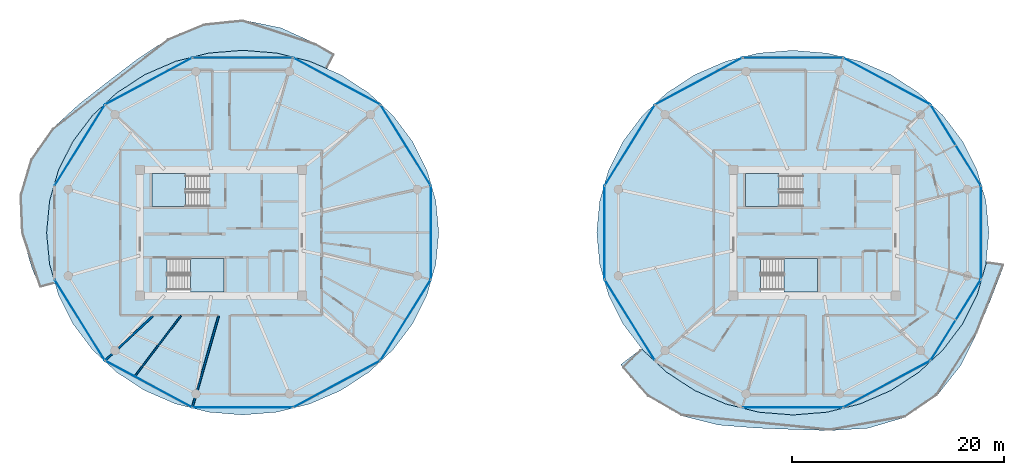
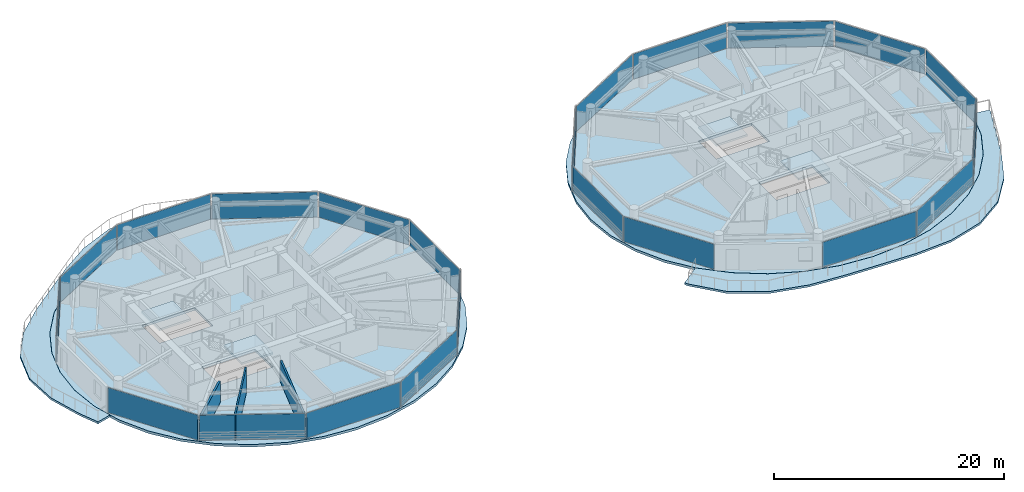
# One storey, part 12 of 24: 22 plates, 8 slabs, 3 walls, 26 elements without a shape of their own.
"""IFC4 building model written with IfcOpenShell, lengths in metres."""

from ifc_helpers import new_model, si_unit, direction, frame, frame_2d, origin, origin_2d, place, context, subcontext, project, spatial, polyline, rectangle, outline, extrude, source, transform, mapped, material, layer, layer_set, type_object, type_shapes, element, aggregate, save


model = new_model("IFC4")

# Units and contexts
model_context = context("Model", 3, precision=1e-05, world=origin(), true_north=direction((0.0, 1.0)))
body_context = subcontext(model_context, "Body", "Model", "MODEL_VIEW")
ifc_project = project(units=[si_unit("LENGTHUNIT", "METRE"), si_unit("AREAUNIT", "SQUARE_METRE"), si_unit("VOLUMEUNIT", "CUBIC_METRE"), si_unit("PLANEANGLEUNIT", "RADIAN"), si_unit("MASSUNIT", "GRAM", prefix="KILO")], contexts=[model_context])

# Site, building, storey
site_placement = place(None, origin())
site = spatial("IfcSite", under=ifc_project, at=site_placement, CompositionType="ELEMENT")
building_placement = place(site_placement, origin())
building = spatial("IfcBuilding", under=site, at=building_placement, Name="Norrkilde Senior Care Towers", CompositionType="ELEMENT")
storey_placement = place(building_placement, frame((0.0, 0.0, 90.14990234375)))
storey = spatial("IfcBuildingStorey", under=building, at=storey_placement, Name="L27", CompositionType="ELEMENT", Elevation=90.14990234375)

# Slabs
ifc_material_1 = material(Name="Concrete C50/60", Category="concrete")
ifc_layer_1 = layer(ifc_material_1, 0.215087890625)
ifc_layer_set_1 = layer_set([ifc_layer_1], Name="Concrete C50/60")
slab_type_1 = type_object("IfcSlabType", Name="Sinusoidal Balcony Ribbon Slab 215", PredefinedType="FLOOR", material=ifc_layer_set_1)
slab_1_placement = place(storey_placement, frame((0.0, 0.0, -0.21484375)))
element("IfcSlab", 1, at=slab_1_placement, inside=storey, type_object=slab_type_1, Name="L27 Drum W Swirling Senior Balcony 1", PredefinedType="FLOOR", context=body_context, shape_type="SweptSolid", body=[
    extrude(outline(polyline([(-46.814453125, 0.0), (-46.962646484375, 3.5166015625), (-45.9501953125, 6.90673828125), (-43.91357421875, 9.80615234375), (-41.34521484375, 12.159912109375), (-38.67236328125, 14.24072265625), (-35.959716796875, 16.31103515625), (-32.9931640625, 18.27783203125), (-29.612548828125, 19.684326171875), (-25.949951171875, 20.06201171875), (-22.3466796875, 19.322265625), (-19.05810546875, 17.8310546875), (-17.29052734375, 16.8125), (-17.987548828125, 15.459228515625), (-19.620849609375, 16.16748046875), (-22.736572265625, 16.943603515625), (-25.949951171875, 17.205078125), (-29.163330078125, 16.943603515625), (-32.279052734375, 16.16748046875), (-35.202392578125, 14.89990234375), (-37.8447265625, 13.1796875), (-40.125732421875, 11.05908203125), (-41.975830078125, 8.6025390625), (-43.339111328125, 5.884521484375), (-44.173828125, 2.987548828125), (-44.455078125, 0.0), (-44.173828125, -2.987548828125), (-43.64990234375, -4.80615234375), (-45.08154296875, -5.19482421875), (-45.853271484375, -3.30615234375), (-46.814453125, 0.0)])), origin(), (0.0, 0.0, 1.0), 0.21484375),
])
slab_2_placement = place(storey_placement, frame((0.0, 0.0, -0.21484375)))
element("IfcSlab", 2, at=slab_2_placement, inside=storey, type_object=slab_type_1, Name="L27 Drum E Swirling Senior Balcony 1", PredefinedType="FLOOR", context=body_context, shape_type="SweptSolid", body=[
    extrude(outline(polyline([(43.336181640625, -9.447509765625), (41.779296875, -12.552001953125), (39.552978515625, -15.36962890625), (36.5537109375, -17.41748046875), (33.051513671875, -18.45068359375), (29.447509765625, -18.6767578125), (25.949951171875, -18.56689453125), (22.492431640625, -18.43310546875), (18.9501953125, -18.14990234375), (15.422607421875, -17.275390625), (12.279296875, -15.45654296875), (9.895751953125, -12.7548828125), (9.736083984375, -12.43310546875), (11.68408203125, -10.939208984375), (11.7744140625, -11.05908203125), (14.05517578125, -13.1796875), (16.697509765625, -14.89990234375), (19.620849609375, -16.16748046875), (22.736572265625, -16.943603515625), (25.949951171875, -17.205078125), (29.163330078125, -16.943603515625), (32.279052734375, -16.16748046875), (35.202392578125, -14.89990234375), (37.8447265625, -13.1796875), (40.125732421875, -11.05908203125), (41.975830078125, -8.6025390625), (43.339111328125, -5.884521484375), (44.173828125, -2.987548828125), (44.197509765625, -2.73681640625), (45.875732421875, -2.988525390625), (45.787841796875, -3.293701171875), (44.591796875, -6.375), (43.336181640625, -9.447509765625)])), origin(), (0.0, 0.0, 1.0), 0.21484375),
])

# Stair, slab
ifc_material_2 = material(Name="Concrete C45/55", Category="concrete")
stair_type = type_object("IfcStairType", Name="Core Protected Dogleg Stair Typical 3050", PredefinedType="HALF_TURN_STAIR", material=ifc_material_2)
stair_1_placement = place(storey_placement, origin())
stair_1 = element("IfcStair", 3, at=stair_1_placement, inside=storey, type_object=stair_type, Name="L27 Protected Core Stair W1", PredefinedType="HALF_TURN_STAIR")
ifc_layer_2 = layer(ifc_material_2, 0.199951171875)
ifc_layer_set_2 = layer_set([ifc_layer_2], Name="Concrete C45/55")
slab_type_2 = type_object("IfcSlabType", Name="Stair Landing Slab 200", PredefinedType="LANDING", material=ifc_layer_set_2)
slab_3_placement = place(storey_placement, frame((0.0, 0.0, 1.3251953125)))
slab_3 = element("IfcSlab", 4, at=slab_3_placement, type_object=slab_type_2, Name="ST-W1 landing 1", PredefinedType="LANDING", context=body_context, shape_type="SweptSolid", body=[
    extrude(outline(polyline([(-31.340087890625, 5.590087890625), (-34.5, 5.590087890625), (-34.5, 2.449951171875), (-31.340087890625, 2.449951171875), (-31.340087890625, 5.590087890625)])), origin(), (0.0, 0.0, 1.0), 0.199951171875),
])
aggregate(stair_1, [slab_3])

stair_2_placement = place(storey_placement, origin())
stair_2 = element("IfcStair", 5, at=stair_2_placement, inside=storey, type_object=stair_type, Name="L27 Protected Core Stair W2", PredefinedType="HALF_TURN_STAIR")
slab_4_placement = place(storey_placement, frame((0.0, 0.0, 1.3251953125)))
slab_4 = element("IfcSlab", 6, at=slab_4_placement, type_object=slab_type_2, Name="ST-W2 landing 1", PredefinedType="LANDING", context=body_context, shape_type="SweptSolid", body=[
    extrude(outline(polyline([(-30.860107421875, -5.590087890625), (-27.699951171875, -5.590087890625), (-27.699951171875, -2.449951171875), (-30.860107421875, -2.449951171875), (-30.860107421875, -5.590087890625)])), origin(), (0.0, 0.0, 1.0), 0.199951171875),
])
aggregate(stair_2, [slab_4])

stair_3_placement = place(storey_placement, origin())
stair_3 = element("IfcStair", 7, at=stair_3_placement, inside=storey, type_object=stair_type, Name="L27 Protected Core Stair E1", PredefinedType="HALF_TURN_STAIR")
slab_5_placement = place(storey_placement, frame((0.0, 0.0, 1.3251953125)))
slab_5 = element("IfcSlab", 8, at=slab_5_placement, type_object=slab_type_2, Name="ST-E1 landing 1", PredefinedType="LANDING", context=body_context, shape_type="SweptSolid", body=[
    extrude(outline(polyline([(24.659912109375, 5.590087890625), (21.5, 5.590087890625), (21.5, 2.449951171875), (24.659912109375, 2.449951171875), (24.659912109375, 5.590087890625)])), origin(), (0.0, 0.0, 1.0), 0.199951171875),
])
aggregate(stair_3, [slab_5])

stair_4_placement = place(storey_placement, origin())
stair_4 = element("IfcStair", 9, at=stair_4_placement, inside=storey, type_object=stair_type, Name="L27 Protected Core Stair E2", PredefinedType="HALF_TURN_STAIR")
slab_6_placement = place(storey_placement, frame((0.0, 0.0, 1.3251953125)))
slab_6 = element("IfcSlab", 10, at=slab_6_placement, type_object=slab_type_2, Name="ST-E2 landing 1", PredefinedType="LANDING", context=body_context, shape_type="SweptSolid", body=[
    extrude(outline(polyline([(25.139892578125, -5.590087890625), (28.300048828125, -5.590087890625), (28.300048828125, -2.449951171875), (25.139892578125, -2.449951171875), (25.139892578125, -5.590087890625)])), origin(), (0.0, 0.0, 1.0), 0.199951171875),
])
aggregate(stair_4, [slab_6])

# Slabs
ifc_layer_3 = layer(ifc_material_1, 0.260009765625)
ifc_layer_set_3 = layer_set([ifc_layer_3], Name="Concrete C50/60")
slab_type_3 = type_object("IfcSlabType", Name="Tower Care Floor Slab 260", PredefinedType="FLOOR", material=ifc_layer_set_3)
slab_7_placement = place(storey_placement, frame((0.0, 0.0, -0.260009765625)))
element("IfcSlab", 11, at=slab_7_placement, inside=storey, type_object=slab_type_3, Name="L27 Drum W Structural Floor Slab", PredefinedType="FLOOR", context=body_context, shape_type="SweptSolid", body=[
    extrude(outline(polyline([(-8.565673828125, -5.8828125), (-9.928466796875, -8.60009765625), (-11.778076171875, -11.055908203125), (-14.058349609375, -13.176025390625), (-16.699951171875, -14.895751953125), (-19.62255859375, -16.16259765625), (-22.737548828125, -16.938720703125), (-25.949951171875, -17.199951171875), (-29.16259765625, -16.938720703125), (-32.27734375, -16.16259765625), (-35.199951171875, -14.895751953125), (-37.841552734375, -13.176025390625), (-40.121826171875, -11.055908203125), (-41.971435546875, -8.60009765625), (-43.334228515625, -5.8828125), (-44.1689453125, -2.98681640625), (-44.449951171875, 0.0), (-44.1689453125, 2.98681640625), (-43.334228515625, 5.8828125), (-41.971435546875, 8.60009765625), (-40.121826171875, 11.055908203125), (-37.841552734375, 13.176025390625), (-35.199951171875, 14.895751953125), (-32.27734375, 16.16259765625), (-29.16259765625, 16.938720703125), (-25.949951171875, 17.199951171875), (-22.737548828125, 16.938720703125), (-19.62255859375, 16.16259765625), (-16.699951171875, 14.895751953125), (-14.058349609375, 13.176025390625), (-11.778076171875, 11.055908203125), (-9.928466796875, 8.60009765625), (-8.565673828125, 5.8828125), (-7.73095703125, 2.98681640625), (-7.449951171875, 0.0), (-7.73095703125, -2.98681640625), (-8.565673828125, -5.8828125)]), holes=[polyline([(-34.48193359375, 2.468017578125), (-29.117919921875, 2.468017578125), (-29.117919921875, 5.590087890625), (-34.48193359375, 5.590087890625), (-34.48193359375, 2.468017578125)]), polyline([(-27.718017578125, -5.590087890625), (-27.718017578125, -2.468017578125), (-33.08203125, -2.468017578125), (-33.08203125, -5.590087890625), (-27.718017578125, -5.590087890625)])]), origin(), (0.0, 0.0, 1.0), 0.260009765625),
])
slab_8_placement = place(storey_placement, frame((0.0, 0.0, -0.260009765625)))
element("IfcSlab", 12, at=slab_8_placement, inside=storey, type_object=slab_type_3, Name="L27 Drum E Structural Floor Slab", PredefinedType="FLOOR", context=body_context, shape_type="SweptSolid", body=[
    extrude(outline(polyline([(43.334228515625, -5.8828125), (41.971435546875, -8.60009765625), (40.121826171875, -11.055908203125), (37.841552734375, -13.176025390625), (35.199951171875, -14.895751953125), (32.27734375, -16.16259765625), (29.16259765625, -16.938720703125), (25.949951171875, -17.199951171875), (22.737548828125, -16.938720703125), (19.62255859375, -16.16259765625), (16.699951171875, -14.895751953125), (14.058349609375, -13.176025390625), (11.778076171875, -11.055908203125), (9.928466796875, -8.60009765625), (8.565673828125, -5.8828125), (7.73095703125, -2.98681640625), (7.449951171875, 0.0), (7.73095703125, 2.98681640625), (8.565673828125, 5.8828125), (9.928466796875, 8.60009765625), (11.778076171875, 11.055908203125), (14.058349609375, 13.176025390625), (16.699951171875, 14.895751953125), (19.62255859375, 16.16259765625), (22.737548828125, 16.938720703125), (25.949951171875, 17.199951171875), (29.16259765625, 16.938720703125), (32.27734375, 16.16259765625), (35.199951171875, 14.895751953125), (37.841552734375, 13.176025390625), (40.121826171875, 11.055908203125), (41.971435546875, 8.60009765625), (43.334228515625, 5.8828125), (44.1689453125, 2.98681640625), (44.449951171875, 0.0), (44.1689453125, -2.98681640625), (43.334228515625, -5.8828125)]), holes=[polyline([(21.51806640625, 2.468017578125), (26.882080078125, 2.468017578125), (26.882080078125, 5.590087890625), (21.51806640625, 5.590087890625), (21.51806640625, 2.468017578125)]), polyline([(28.281982421875, -5.590087890625), (28.281982421875, -2.468017578125), (22.91796875, -2.468017578125), (22.91796875, -5.590087890625), (28.281982421875, -5.590087890625)])]), origin(), (0.0, 0.0, 1.0), 0.260009765625),
])

# Curtain wall, plate
ifc_material_3 = material(Name="Triple Low-E Insulated Glazing", Category="glass")
ifc_layer_4 = layer(ifc_material_3, 0.195068359375)
ifc_layer_set_4 = layer_set([ifc_layer_4], Name="Triple Low-E Insulated Glazing")
curtain_wall_type = type_object("IfcCurtainWallType", Name="CW3 Zone 2 Assisted Living Curtain Wall", PredefinedType="NOTDEFINED", material=ifc_layer_set_4)
curtain_wall_1_placement = place(storey_placement, origin())
curtain_wall_1 = element("IfcCurtainWall", 13, at=curtain_wall_1_placement, inside=storey, type_object=curtain_wall_type, Name="L27 Drum W Curtain Wall 00", PredefinedType="NOTDEFINED")
ifc_layer_5 = layer(ifc_material_3, 0.035888671875)
ifc_layer_set_5 = layer_set([ifc_layer_5], Name="Triple Low-E Insulated Glazing")
plate_type = type_object("IfcPlateType", Name="Triple Low-E Vision Curtain Panel 36", PredefinedType="CURTAIN_PANEL", material=ifc_layer_set_5)
shared_shape_1 = source(origin(), body_context, "Body", "SweptSolid", [
    extrude(rectangle(XDim=8.88427734375, YDim=0.035888671875, at=origin_2d()), origin(), (0.0, 0.0, 1.0), 2.669921875),
])
plate_1_placement = place(storey_placement, frame((-10.574951171875, 8.2490234375, 0.06005859375), z_axis=(0.0, 0.0, 1.0), x_axis=(0.527733228002, -0.849410171862, 0.0)))
plate_1 = element("IfcPlate", 14, at=plate_1_placement, type_object=plate_type, Name="CW-3 panel 1.1", PredefinedType="CURTAIN_PANEL", context=body_context, shape_type="MappedRepresentation", body=[
    mapped(shared_shape_1, transform((0.0, 0.0, 0.0), x_axis=(1.0, 0.0, 0.0), y_axis=(0.0, 1.0, 0.0), z_axis=(0.0, 0.0, 1.0), scale=1.0)),
])
aggregate(curtain_wall_1, [plate_1])

curtain_wall_2_placement = place(storey_placement, origin())
curtain_wall_2 = element("IfcCurtainWall", 15, at=curtain_wall_2_placement, inside=storey, type_object=curtain_wall_type, Name="L27 Drum W Curtain Wall 04", PredefinedType="NOTDEFINED")
plate_2_placement = place(storey_placement, frame((-41.3251953125, 8.2490234375, 0.06005859375), z_axis=(0.0, 0.0, 1.0), x_axis=(0.527733228002, 0.849410171862, 0.0)))
plate_2 = element("IfcPlate", 16, at=plate_2_placement, type_object=plate_type, Name="CW-3 panel 1.1", PredefinedType="CURTAIN_PANEL", context=body_context, shape_type="MappedRepresentation", body=[
    mapped(shared_shape_1, transform((0.0, 0.0, 0.0), x_axis=(1.0, 0.0, 0.0), y_axis=(0.0, 1.0, 0.0), z_axis=(0.0, 0.0, 1.0), scale=1.0)),
])
aggregate(curtain_wall_2, [plate_2])

curtain_wall_3_placement = place(storey_placement, origin())
curtain_wall_3 = element("IfcCurtainWall", 17, at=curtain_wall_3_placement, inside=storey, type_object=curtain_wall_type, Name="L27 Drum W Curtain Wall 06", PredefinedType="NOTDEFINED")
plate_3_placement = place(storey_placement, frame((-41.3251953125, -8.2490234375, 0.06005859375), z_axis=(0.0, 0.0, 1.0), x_axis=(-0.527733228002, 0.849410171862, 0.0)))
plate_3 = element("IfcPlate", 18, at=plate_3_placement, type_object=plate_type, Name="CW-3 panel 1.1", PredefinedType="CURTAIN_PANEL", context=body_context, shape_type="MappedRepresentation", body=[
    mapped(shared_shape_1, transform((0.0, 0.0, 0.0), x_axis=(1.0, 0.0, 0.0), y_axis=(0.0, 1.0, 0.0), z_axis=(0.0, 0.0, 1.0), scale=1.0)),
])
aggregate(curtain_wall_3, [plate_3])

curtain_wall_4_placement = place(storey_placement, origin())
curtain_wall_4 = element("IfcCurtainWall", 19, at=curtain_wall_4_placement, inside=storey, type_object=curtain_wall_type, Name="L27 Drum W Curtain Wall 10", PredefinedType="NOTDEFINED")
plate_4_placement = place(storey_placement, frame((-10.574951171875, -8.2490234375, 0.06005859375), z_axis=(0.0, 0.0, 1.0), x_axis=(-0.527733228002, -0.849410171862, 0.0)))
plate_4 = element("IfcPlate", 20, at=plate_4_placement, type_object=plate_type, Name="CW-3 panel 1.1", PredefinedType="CURTAIN_PANEL", context=body_context, shape_type="MappedRepresentation", body=[
    mapped(shared_shape_1, transform((0.0, 0.0, 0.0), x_axis=(1.0, 0.0, 0.0), y_axis=(0.0, 1.0, 0.0), z_axis=(0.0, 0.0, 1.0), scale=1.0)),
])
aggregate(curtain_wall_4, [plate_4])

curtain_wall_5_placement = place(storey_placement, origin())
curtain_wall_5 = element("IfcCurtainWall", 21, at=curtain_wall_5_placement, inside=storey, type_object=curtain_wall_type, Name="L27 Drum E Curtain Wall 00", PredefinedType="NOTDEFINED")
plate_5_placement = place(storey_placement, frame((41.3251953125, 8.2490234375, 0.06005859375), z_axis=(0.0, 0.0, 1.0), x_axis=(0.527733228002, -0.849410171862, 0.0)))
plate_5 = element("IfcPlate", 22, at=plate_5_placement, type_object=plate_type, Name="CW-3 panel 1.1", PredefinedType="CURTAIN_PANEL", context=body_context, shape_type="MappedRepresentation", body=[
    mapped(shared_shape_1, transform((0.0, 0.0, 0.0), x_axis=(1.0, 0.0, 0.0), y_axis=(0.0, 1.0, 0.0), z_axis=(0.0, 0.0, 1.0), scale=1.0)),
])
aggregate(curtain_wall_5, [plate_5])

curtain_wall_6_placement = place(storey_placement, origin())
curtain_wall_6 = element("IfcCurtainWall", 23, at=curtain_wall_6_placement, inside=storey, type_object=curtain_wall_type, Name="L27 Drum E Curtain Wall 04", PredefinedType="NOTDEFINED")
plate_6_placement = place(storey_placement, frame((10.574951171875, 8.2490234375, 0.06005859375), z_axis=(0.0, 0.0, 1.0), x_axis=(0.527733228002, 0.849410171862, 0.0)))
plate_6 = element("IfcPlate", 24, at=plate_6_placement, type_object=plate_type, Name="CW-3 panel 1.1", PredefinedType="CURTAIN_PANEL", context=body_context, shape_type="MappedRepresentation", body=[
    mapped(shared_shape_1, transform((0.0, 0.0, 0.0), x_axis=(1.0, 0.0, 0.0), y_axis=(0.0, 1.0, 0.0), z_axis=(0.0, 0.0, 1.0), scale=1.0)),
])
aggregate(curtain_wall_6, [plate_6])

curtain_wall_7_placement = place(storey_placement, origin())
curtain_wall_7 = element("IfcCurtainWall", 25, at=curtain_wall_7_placement, inside=storey, type_object=curtain_wall_type, Name="L27 Drum E Curtain Wall 06", PredefinedType="NOTDEFINED")
plate_7_placement = place(storey_placement, frame((10.574951171875, -8.2490234375, 0.06005859375), z_axis=(0.0, 0.0, 1.0), x_axis=(-0.527733228002, 0.849410171862, 0.0)))
plate_7 = element("IfcPlate", 26, at=plate_7_placement, type_object=plate_type, Name="CW-3 panel 1.1", PredefinedType="CURTAIN_PANEL", context=body_context, shape_type="MappedRepresentation", body=[
    mapped(shared_shape_1, transform((0.0, 0.0, 0.0), x_axis=(1.0, 0.0, 0.0), y_axis=(0.0, 1.0, 0.0), z_axis=(0.0, 0.0, 1.0), scale=1.0)),
])
aggregate(curtain_wall_7, [plate_7])

curtain_wall_8_placement = place(storey_placement, origin())
curtain_wall_8 = element("IfcCurtainWall", 27, at=curtain_wall_8_placement, inside=storey, type_object=curtain_wall_type, Name="L27 Drum E Curtain Wall 10", PredefinedType="NOTDEFINED")
plate_8_placement = place(storey_placement, frame((41.3251953125, -8.2490234375, 0.06005859375), z_axis=(0.0, 0.0, 1.0), x_axis=(-0.527733228002, -0.849410171862, 0.0)))
plate_8 = element("IfcPlate", 28, at=plate_8_placement, type_object=plate_type, Name="CW-3 panel 1.1", PredefinedType="CURTAIN_PANEL", context=body_context, shape_type="MappedRepresentation", body=[
    mapped(shared_shape_1, transform((0.0, 0.0, 0.0), x_axis=(1.0, 0.0, 0.0), y_axis=(0.0, 1.0, 0.0), z_axis=(0.0, 0.0, 1.0), scale=1.0)),
])
aggregate(curtain_wall_8, [plate_8])

curtain_wall_9_placement = place(storey_placement, origin())
curtain_wall_9 = element("IfcCurtainWall", 29, at=curtain_wall_9_placement, inside=storey, type_object=curtain_wall_type, Name="L27 Drum W Curtain Wall 01", PredefinedType="NOTDEFINED")
shared_shape_2 = source(origin(), body_context, "Body", "SweptSolid", [
    extrude(rectangle(XDim=9.220458984375, YDim=0.035888671875, at=origin_2d()), origin(), (0.0, 0.0, 1.0), 2.669921875),
])
plate_9_placement = place(storey_placement, frame((-17.0732421875, 14.28759765625, 0.06005859375), z_axis=(0.0, 0.0, 1.0), x_axis=(0.881186184668, -0.472769402511, 0.0)))
plate_9 = element("IfcPlate", 30, at=plate_9_placement, type_object=plate_type, Name="CW-3 panel 1.1", PredefinedType="CURTAIN_PANEL", context=body_context, shape_type="MappedRepresentation", body=[
    mapped(shared_shape_2, transform((0.0, 0.0, 0.0), x_axis=(1.0, 0.0, 0.0), y_axis=(0.0, 1.0, 0.0), z_axis=(0.0, 0.0, 1.0), scale=1.0)),
])
aggregate(curtain_wall_9, [plate_9])

curtain_wall_10_placement = place(storey_placement, origin())
curtain_wall_10 = element("IfcCurtainWall", 31, at=curtain_wall_10_placement, inside=storey, type_object=curtain_wall_type, Name="L27 Drum W Curtain Wall 03", PredefinedType="NOTDEFINED")
plate_10_placement = place(storey_placement, frame((-34.826904296875, 14.28759765625, 0.06005859375), z_axis=(0.0, 0.0, 1.0), x_axis=(0.881186184668, 0.472769402511, 0.0)))
plate_10 = element("IfcPlate", 32, at=plate_10_placement, type_object=plate_type, Name="CW-3 panel 1.1", PredefinedType="CURTAIN_PANEL", context=body_context, shape_type="MappedRepresentation", body=[
    mapped(shared_shape_2, transform((0.0, 0.0, 0.0), x_axis=(1.0, 0.0, 0.0), y_axis=(0.0, 1.0, 0.0), z_axis=(0.0, 0.0, 1.0), scale=1.0)),
])
aggregate(curtain_wall_10, [plate_10])

curtain_wall_11_placement = place(storey_placement, origin())
curtain_wall_11 = element("IfcCurtainWall", 33, at=curtain_wall_11_placement, inside=storey, type_object=curtain_wall_type, Name="L27 Drum W Curtain Wall 07", PredefinedType="NOTDEFINED")
plate_11_placement = place(storey_placement, frame((-34.826904296875, -14.28759765625, 0.06005859375), z_axis=(0.0, 0.0, 1.0), x_axis=(-0.881186184668, 0.472769402511, 0.0)))
plate_11 = element("IfcPlate", 34, at=plate_11_placement, type_object=plate_type, Name="CW-3 panel 1.1", PredefinedType="CURTAIN_PANEL", context=body_context, shape_type="MappedRepresentation", body=[
    mapped(shared_shape_2, transform((0.0, 0.0, 0.0), x_axis=(1.0, 0.0, 0.0), y_axis=(0.0, 1.0, 0.0), z_axis=(0.0, 0.0, 1.0), scale=1.0)),
])
aggregate(curtain_wall_11, [plate_11])

curtain_wall_12_placement = place(storey_placement, origin())
curtain_wall_12 = element("IfcCurtainWall", 35, at=curtain_wall_12_placement, inside=storey, type_object=curtain_wall_type, Name="L27 Drum W Curtain Wall 09", PredefinedType="NOTDEFINED")
plate_12_placement = place(storey_placement, frame((-17.0732421875, -14.28759765625, 0.06005859375), z_axis=(0.0, 0.0, 1.0), x_axis=(-0.881186184668, -0.472769402511, 0.0)))
plate_12 = element("IfcPlate", 36, at=plate_12_placement, type_object=plate_type, Name="CW-3 panel 1.1", PredefinedType="CURTAIN_PANEL", context=body_context, shape_type="MappedRepresentation", body=[
    mapped(shared_shape_2, transform((0.0, 0.0, 0.0), x_axis=(1.0, 0.0, 0.0), y_axis=(0.0, 1.0, 0.0), z_axis=(0.0, 0.0, 1.0), scale=1.0)),
])
aggregate(curtain_wall_12, [plate_12])

curtain_wall_13_placement = place(storey_placement, origin())
curtain_wall_13 = element("IfcCurtainWall", 37, at=curtain_wall_13_placement, inside=storey, type_object=curtain_wall_type, Name="L27 Drum E Curtain Wall 01", PredefinedType="NOTDEFINED")
plate_13_placement = place(storey_placement, frame((34.826904296875, 14.28759765625, 0.06005859375), z_axis=(0.0, 0.0, 1.0), x_axis=(0.881186184668, -0.472769402511, 0.0)))
plate_13 = element("IfcPlate", 38, at=plate_13_placement, type_object=plate_type, Name="CW-3 panel 1.1", PredefinedType="CURTAIN_PANEL", context=body_context, shape_type="MappedRepresentation", body=[
    mapped(shared_shape_2, transform((0.0, 0.0, 0.0), x_axis=(1.0, 0.0, 0.0), y_axis=(0.0, 1.0, 0.0), z_axis=(0.0, 0.0, 1.0), scale=1.0)),
])
aggregate(curtain_wall_13, [plate_13])

curtain_wall_14_placement = place(storey_placement, origin())
curtain_wall_14 = element("IfcCurtainWall", 39, at=curtain_wall_14_placement, inside=storey, type_object=curtain_wall_type, Name="L27 Drum E Curtain Wall 03", PredefinedType="NOTDEFINED")
plate_14_placement = place(storey_placement, frame((17.0732421875, 14.28759765625, 0.06005859375), z_axis=(0.0, 0.0, 1.0), x_axis=(0.881186184668, 0.472769402511, 0.0)))
plate_14 = element("IfcPlate", 40, at=plate_14_placement, type_object=plate_type, Name="CW-3 panel 1.1", PredefinedType="CURTAIN_PANEL", context=body_context, shape_type="MappedRepresentation", body=[
    mapped(shared_shape_2, transform((0.0, 0.0, 0.0), x_axis=(1.0, 0.0, 0.0), y_axis=(0.0, 1.0, 0.0), z_axis=(0.0, 0.0, 1.0), scale=1.0)),
])
aggregate(curtain_wall_14, [plate_14])

curtain_wall_15_placement = place(storey_placement, origin())
curtain_wall_15 = element("IfcCurtainWall", 41, at=curtain_wall_15_placement, inside=storey, type_object=curtain_wall_type, Name="L27 Drum E Curtain Wall 09", PredefinedType="NOTDEFINED")
plate_15_placement = place(storey_placement, frame((34.826904296875, -14.28759765625, 0.06005859375), z_axis=(0.0, 0.0, 1.0), x_axis=(-0.881186184668, -0.472769402511, 0.0)))
plate_15 = element("IfcPlate", 42, at=plate_15_placement, type_object=plate_type, Name="CW-3 panel 1.1", PredefinedType="CURTAIN_PANEL", context=body_context, shape_type="MappedRepresentation", body=[
    mapped(shared_shape_2, transform((0.0, 0.0, 0.0), x_axis=(1.0, 0.0, 0.0), y_axis=(0.0, 1.0, 0.0), z_axis=(0.0, 0.0, 1.0), scale=1.0)),
])
aggregate(curtain_wall_15, [plate_15])

curtain_wall_16_placement = place(storey_placement, origin())
curtain_wall_16 = element("IfcCurtainWall", 43, at=curtain_wall_16_placement, inside=storey, type_object=curtain_wall_type, Name="L27 Drum W Curtain Wall 02", PredefinedType="NOTDEFINED")
shared_shape_3 = source(origin(), body_context, "Body", "SweptSolid", [
    extrude(rectangle(XDim=9.38427734375, YDim=0.035888671875, at=origin_2d()), origin(), (0.0, 0.0, 1.0), 2.669921875),
])
plate_16_placement = place(storey_placement, frame((-25.949951171875, 16.498046875, 0.06005859375), z_axis=(0.0, 0.0, 1.0), x_axis=(1.0, 0.0, 0.0)))
plate_16 = element("IfcPlate", 44, at=plate_16_placement, type_object=plate_type, Name="CW-3 panel 1.1", PredefinedType="CURTAIN_PANEL", context=body_context, shape_type="MappedRepresentation", body=[
    mapped(shared_shape_3, transform((0.0, 0.0, 0.0), x_axis=(1.0, 0.0, 0.0), y_axis=(0.0, 1.0, 0.0), z_axis=(0.0, 0.0, 1.0), scale=1.0)),
])
aggregate(curtain_wall_16, [plate_16])

curtain_wall_17_placement = place(storey_placement, origin())
curtain_wall_17 = element("IfcCurtainWall", 45, at=curtain_wall_17_placement, inside=storey, type_object=curtain_wall_type, Name="L27 Drum W Curtain Wall 08", PredefinedType="NOTDEFINED")
plate_17_placement = place(storey_placement, frame((-25.949951171875, -16.498046875, 0.06005859375), z_axis=(0.0, 0.0, 1.0), x_axis=(-1.0, 0.0, 0.0)))
plate_17 = element("IfcPlate", 46, at=plate_17_placement, type_object=plate_type, Name="CW-3 panel 1.1", PredefinedType="CURTAIN_PANEL", context=body_context, shape_type="MappedRepresentation", body=[
    mapped(shared_shape_3, transform((0.0, 0.0, 0.0), x_axis=(1.0, 0.0, 0.0), y_axis=(0.0, 1.0, 0.0), z_axis=(0.0, 0.0, 1.0), scale=1.0)),
])
aggregate(curtain_wall_17, [plate_17])

curtain_wall_18_placement = place(storey_placement, origin())
curtain_wall_18 = element("IfcCurtainWall", 47, at=curtain_wall_18_placement, inside=storey, type_object=curtain_wall_type, Name="L27 Drum E Curtain Wall 02", PredefinedType="NOTDEFINED")
plate_18_placement = place(storey_placement, frame((25.949951171875, 16.498046875, 0.06005859375), z_axis=(0.0, 0.0, 1.0), x_axis=(1.0, 0.0, 0.0)))
plate_18 = element("IfcPlate", 48, at=plate_18_placement, type_object=plate_type, Name="CW-3 panel 1.1", PredefinedType="CURTAIN_PANEL", context=body_context, shape_type="MappedRepresentation", body=[
    mapped(shared_shape_3, transform((0.0, 0.0, 0.0), x_axis=(1.0, 0.0, 0.0), y_axis=(0.0, 1.0, 0.0), z_axis=(0.0, 0.0, 1.0), scale=1.0)),
])
aggregate(curtain_wall_18, [plate_18])

curtain_wall_19_placement = place(storey_placement, origin())
curtain_wall_19 = element("IfcCurtainWall", 49, at=curtain_wall_19_placement, inside=storey, type_object=curtain_wall_type, Name="L27 Drum E Curtain Wall 08", PredefinedType="NOTDEFINED")
plate_19_placement = place(storey_placement, frame((25.949951171875, -16.498046875, 0.06005859375), z_axis=(0.0, 0.0, 1.0), x_axis=(-1.0, 0.0, 0.0)))
plate_19 = element("IfcPlate", 50, at=plate_19_placement, type_object=plate_type, Name="CW-3 panel 1.1", PredefinedType="CURTAIN_PANEL", context=body_context, shape_type="MappedRepresentation", body=[
    mapped(shared_shape_3, transform((0.0, 0.0, 0.0), x_axis=(1.0, 0.0, 0.0), y_axis=(0.0, 1.0, 0.0), z_axis=(0.0, 0.0, 1.0), scale=1.0)),
])
aggregate(curtain_wall_19, [plate_19])

curtain_wall_20_placement = place(storey_placement, origin())
curtain_wall_20 = element("IfcCurtainWall", 51, at=curtain_wall_20_placement, inside=storey, type_object=curtain_wall_type, Name="L27 Drum W Curtain Wall 11", PredefinedType="NOTDEFINED")
shared_shape_4 = source(origin(), body_context, "Body", "SweptSolid", [
    extrude(rectangle(XDim=8.711181640625, YDim=0.035888671875, at=origin_2d()), origin(), (0.0, 0.0, 1.0), 2.669921875),
])
type_shapes(plate_type, [shared_shape_1, shared_shape_2, shared_shape_3, shared_shape_4])
plate_20_placement = place(storey_placement, frame((-8.1962890625, 0.0, 0.06005859375), z_axis=(0.0, 0.0, 1.0), x_axis=(0.0, -1.0, 0.0)))
plate_20 = element("IfcPlate", 52, at=plate_20_placement, type_object=plate_type, Name="CW-3 panel 1.1", PredefinedType="CURTAIN_PANEL", context=body_context, shape_type="MappedRepresentation", body=[
    mapped(shared_shape_4, transform((0.0, 0.0, 0.0), x_axis=(1.0, 0.0, 0.0), y_axis=(0.0, 1.0, 0.0), z_axis=(0.0, 0.0, 1.0), scale=1.0)),
])
aggregate(curtain_wall_20, [plate_20])

curtain_wall_21_placement = place(storey_placement, origin())
curtain_wall_21 = element("IfcCurtainWall", 53, at=curtain_wall_21_placement, inside=storey, type_object=curtain_wall_type, Name="L27 Drum E Curtain Wall 05", PredefinedType="NOTDEFINED")
plate_21_placement = place(storey_placement, frame((8.1962890625, 0.0, 0.06005859375), z_axis=(0.0, 0.0, 1.0), x_axis=(0.0, 1.0, 0.0)))
plate_21 = element("IfcPlate", 54, at=plate_21_placement, type_object=plate_type, Name="CW-3 panel 1.1", PredefinedType="CURTAIN_PANEL", context=body_context, shape_type="MappedRepresentation", body=[
    mapped(shared_shape_4, transform((0.0, 0.0, 0.0), x_axis=(1.0, 0.0, 0.0), y_axis=(0.0, 1.0, 0.0), z_axis=(0.0, 0.0, 1.0), scale=1.0)),
])
aggregate(curtain_wall_21, [plate_21])

curtain_wall_22_placement = place(storey_placement, origin())
curtain_wall_22 = element("IfcCurtainWall", 55, at=curtain_wall_22_placement, inside=storey, type_object=curtain_wall_type, Name="L27 Drum E Curtain Wall 11", PredefinedType="NOTDEFINED")
plate_22_placement = place(storey_placement, frame((43.70361328125, 0.0, 0.06005859375), z_axis=(0.0, 0.0, 1.0), x_axis=(0.0, -1.0, 0.0)))
plate_22 = element("IfcPlate", 56, at=plate_22_placement, type_object=plate_type, Name="CW-3 panel 1.1", PredefinedType="CURTAIN_PANEL", context=body_context, shape_type="MappedRepresentation", body=[
    mapped(shared_shape_4, transform((0.0, 0.0, 0.0), x_axis=(1.0, 0.0, 0.0), y_axis=(0.0, 1.0, 0.0), z_axis=(0.0, 0.0, 1.0), scale=1.0)),
])
aggregate(curtain_wall_22, [plate_22])

# Walls
ifc_material_4 = material(Name="Gypsum Acoustic Board")
ifc_layer_6 = layer(ifc_material_4, 0.18994140625)
ifc_layer_set_6 = layer_set([ifc_layer_6], Name="Gypsum Acoustic Board")
wall_type_1 = type_object("IfcWallType", Name="Unit Demising Acoustic Wall 190", PredefinedType="PARTITIONING", material=ifc_layer_set_6)
shared_shape_5 = source(origin(), body_context, "Body", "SweptSolid", [
    extrude(rectangle(XDim=6.186767578125, YDim=0.18994140625, at=frame_2d((3.09326171875, 0.0))), origin(), (0.0, 0.0, 1.0), 2.275146484375),
])
type_shapes(wall_type_1, [shared_shape_5])
wall_1_placement = place(storey_placement, frame((-34.428955078125, -7.8798828125, 0.0), z_axis=(0.0, 0.0, 1.0), x_axis=(-0.732501077882, -0.680765870841, 0.0)))
element("IfcWall", 57, at=wall_1_placement, inside=storey, type_object=wall_type_1, Name="WL-INT-L27-W-DEM-07-0", PredefinedType="PARTITIONING", context=body_context, shape_type="MappedRepresentation", body=[
    mapped(shared_shape_5, transform((0.0, 0.0, 0.0), x_axis=(1.0, 0.0, 0.0), y_axis=(0.0, 1.0, 0.0), z_axis=(0.0, 0.0, 1.0), scale=1.0)),
])
ifc_layer_7 = layer(ifc_material_4, 0.139892578125)
ifc_layer_set_7 = layer_set([ifc_layer_7], Name="Gypsum Acoustic Board")
wall_type_2 = type_object("IfcWallType", Name="En-suite Wet Room Wall 140", PredefinedType="PARTITIONING", material=ifc_layer_set_7)
shared_shape_6 = source(origin(), body_context, "Body", "SweptSolid", [
    extrude(rectangle(XDim=7.24267578125, YDim=0.139892578125, at=frame_2d((3.621337890625, 0.0))), origin(), (0.0, 0.0, 1.0), 2.775146484375),
])
type_shapes(wall_type_2, [shared_shape_6])
wall_2_placement = place(storey_placement, frame((-31.773681640625, -7.830078125, 0.0), z_axis=(0.0, 0.0, 1.0), x_axis=(-0.605111472002, -0.796140757939, 0.0)))
element("IfcWall", 58, at=wall_2_placement, inside=storey, type_object=wall_type_2, Name="WL-INT-L27-W-MID-07", PredefinedType="PARTITIONING", context=body_context, shape_type="MappedRepresentation", body=[
    mapped(shared_shape_6, transform((0.0, 0.0, 0.0), x_axis=(1.0, 0.0, 0.0), y_axis=(0.0, 1.0, 0.0), z_axis=(0.0, 0.0, 1.0), scale=1.0)),
])
ifc_layer_8 = layer(ifc_material_4, 0.1650390625)
ifc_layer_set_8 = layer_set([ifc_layer_8], Name="Gypsum Acoustic Board")
wall_type_3 = type_object("IfcWallType", Name="Corridor Rated Partition 165", PredefinedType="PARTITIONING", material=ifc_layer_set_8)
shared_shape_7 = source(origin(), body_context, "Body", "SweptSolid", [
    extrude(rectangle(XDim=8.9892578125, YDim=0.1650390625, at=frame_2d((4.49462890625, 0.0))), origin(), (0.0, 0.0, 1.0), 2.275146484375),
])
type_shapes(wall_type_3, [shared_shape_7])
wall_3_placement = place(storey_placement, frame((-28.221923828125, -7.8798828125, 0.0), z_axis=(0.0, 0.0, 1.0), x_axis=(-0.27702323008, -0.960863221274, 0.0)))
element("IfcWall", 59, at=wall_3_placement, inside=storey, type_object=wall_type_3, Name="WL-INT-L27-W-DEM-08-0", PredefinedType="PARTITIONING", context=body_context, shape_type="MappedRepresentation", body=[
    mapped(shared_shape_7, transform((0.0, 0.0, 0.0), x_axis=(1.0, 0.0, 0.0), y_axis=(0.0, 1.0, 0.0), z_axis=(0.0, 0.0, 1.0), scale=1.0)),
])

save(model, "model.ifc")
